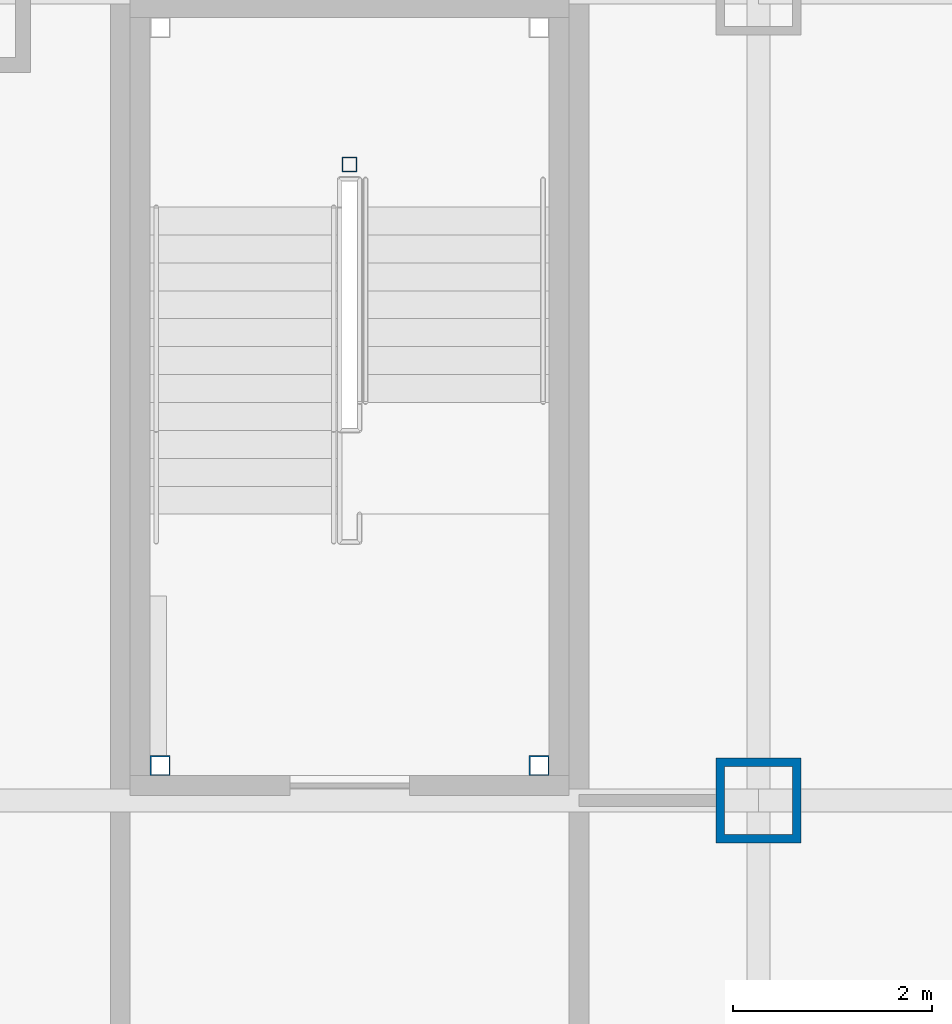
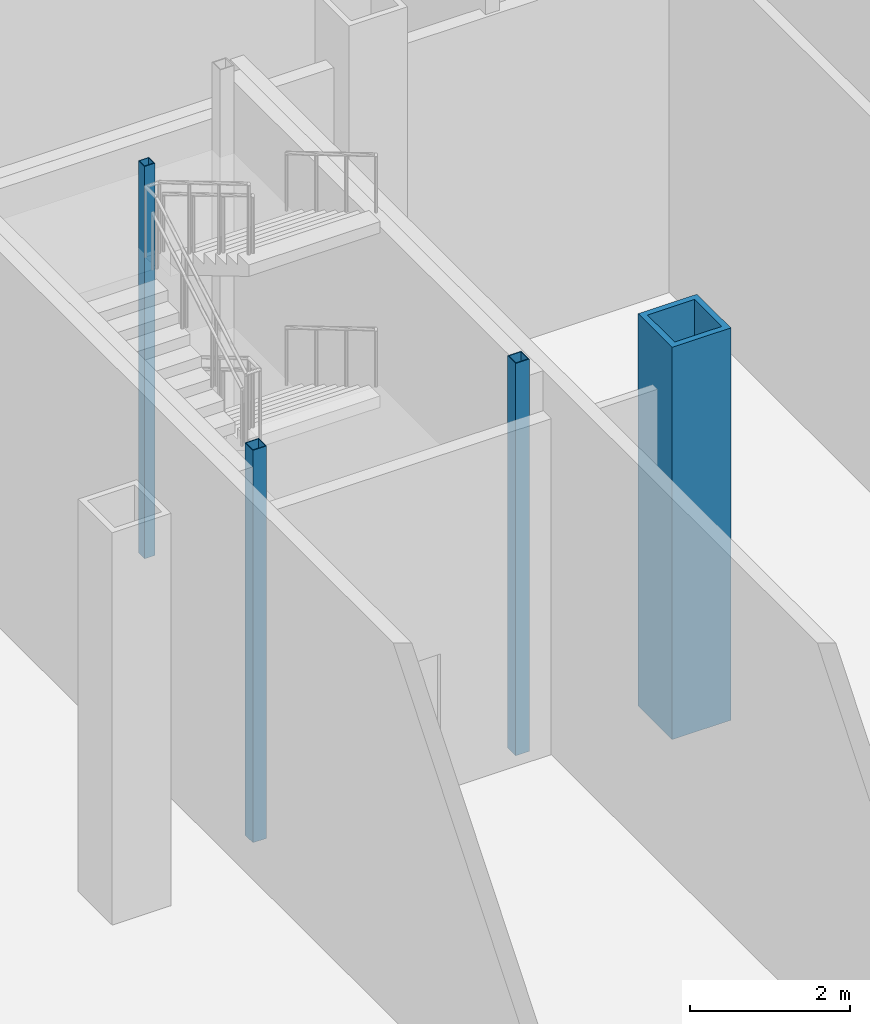
# One storey, part 4 of 35: 4 columns.
"""IFC4 building model written with IfcOpenShell, lengths in metres."""

from ifc_helpers import new_model, si_unit, direction, frame, origin, origin_2d, place, context, subcontext, project, spatial, hollow_rectangle, extrude, material, material_profile, profile_set, type_object, element, save


model = new_model("IFC4")

# Units and contexts
model_context = context("Model", 3, precision=1e-05, world=origin(), true_north=direction((0.0, 1.0)))
body_context = subcontext(model_context, "Body", "Model", "MODEL_VIEW")
ifc_project = project(units=[si_unit("LENGTHUNIT", "METRE"), si_unit("AREAUNIT", "SQUARE_METRE"), si_unit("VOLUMEUNIT", "CUBIC_METRE"), si_unit("PLANEANGLEUNIT", "RADIAN"), si_unit("MASSUNIT", "GRAM", prefix="KILO")], contexts=[model_context])

# Site, building, storey
site_placement = place(None, origin())
site = spatial("IfcSite", under=ifc_project, at=site_placement, CompositionType="ELEMENT")
building_placement = place(site_placement, origin())
building = spatial("IfcBuilding", under=site, at=building_placement, Name="Kopane Lantern Tower", CompositionType="ELEMENT")
storey_placement = place(building_placement, origin())
storey = spatial("IfcBuildingStorey", under=building, at=storey_placement, Name="L00", CompositionType="ELEMENT", Elevation=0.0)

# Columns
ifc_material_1 = material(Name="Steel S355JR", Category="steel")
ifc_material_profile_1 = material_profile(ifc_material_1, hollow_rectangle(XDim=0.85009765625, YDim=0.85009765625, WallThickness=0.0849609375, at=origin_2d()), Name="BOX 850x850x85")
ifc_profile_set_1 = profile_set([ifc_material_profile_1], Name="Steel S355JR")
column_type_1 = type_object("IfcColumnType", Name="COLUMN BOX 850x850x85", PredefinedType="COLUMN", material=ifc_profile_set_1)
column_1_placement = place(storey_placement, frame((48.60009765625, 16.199951171875, 0.0), z_axis=(0.0, 0.0, 1.0), x_axis=(1.0, 0.0, 0.0)))
element("IfcColumn", 1, at=column_1_placement, inside=storey, type_object=column_type_1, Name="Column 8/D L00", PredefinedType="COLUMN", context=body_context, shape_type="SweptSolid", body=[
    extrude(hollow_rectangle(XDim=0.85009765625, YDim=0.85009765625, WallThickness=0.0849609375, at=origin_2d()), origin(), (0.0, 0.0, 1.0), 6.0),
])
ifc_material_2 = material(Name="Steel S355JR", Category="steel")
ifc_material_profile_2 = material_profile(ifc_material_2, hollow_rectangle(XDim=0.14990234375, YDim=0.14990234375, WallThickness=0.010009765625, at=origin_2d()), Name="BOX 150x150x10")
ifc_profile_set_2 = profile_set([ifc_material_profile_2], Name="Steel S355JR")
column_type_2 = type_object("IfcColumnType", Name="STAIR NEWEL POST BOX 150x150x10", PredefinedType="COLUMN", material=ifc_profile_set_2)
column_2_placement = place(storey_placement, frame((44.5, 22.574951171875, 0.0), z_axis=(0.0, 0.0, 1.0), x_axis=(1.0, 0.0, 0.0)))
element("IfcColumn", 2, at=column_2_placement, inside=storey, type_object=column_type_2, Name="Stair newel post ST4 NEWEL L00", PredefinedType="COLUMN", context=body_context, shape_type="SweptSolid", body=[
    extrude(hollow_rectangle(XDim=0.14990234375, YDim=0.14990234375, WallThickness=0.010009765625, at=origin_2d()), origin(), (0.0, 0.0, 1.0), 6.0),
])
ifc_material_3 = material(Name="Steel S355JR", Category="steel")
ifc_material_profile_3 = material_profile(ifc_material_3, hollow_rectangle(XDim=0.199951171875, YDim=0.199951171875, WallThickness=0.011962890625, at=origin_2d()), Name="BOX 200x200x12")
ifc_profile_set_3 = profile_set([ifc_material_profile_3], Name="Steel S355JR")
column_type_3 = type_object("IfcColumnType", Name="STAIR POST BOX 200x200x12", PredefinedType="COLUMN", material=ifc_profile_set_3)
for number, where, z_axis, x_axis, name in (
    (3, (42.60009765625, 16.550048828125, 0.0), (0.0, 0.0, 1.0), (1.0, 0.0, 0.0), "Stair post ST4 SW L00"),
    (4, (46.39990234375, 16.550048828125, 0.0), (0.0, 0.0, 1.0), (1.0, 0.0, 0.0), "Stair post ST4 SE L00"),
):
    element("IfcColumn", number, at=place(storey_placement, frame(where, z_axis=z_axis, x_axis=x_axis)), inside=storey, type_object=column_type_3, Name=name, PredefinedType="COLUMN", context=body_context, shape_type="SweptSolid", body=[
        extrude(hollow_rectangle(XDim=0.199951171875, YDim=0.199951171875, WallThickness=0.011962890625, at=origin_2d()), origin(), (0.0, 0.0, 1.0), 6.0),
    ])

save(model, "model.ifc")
